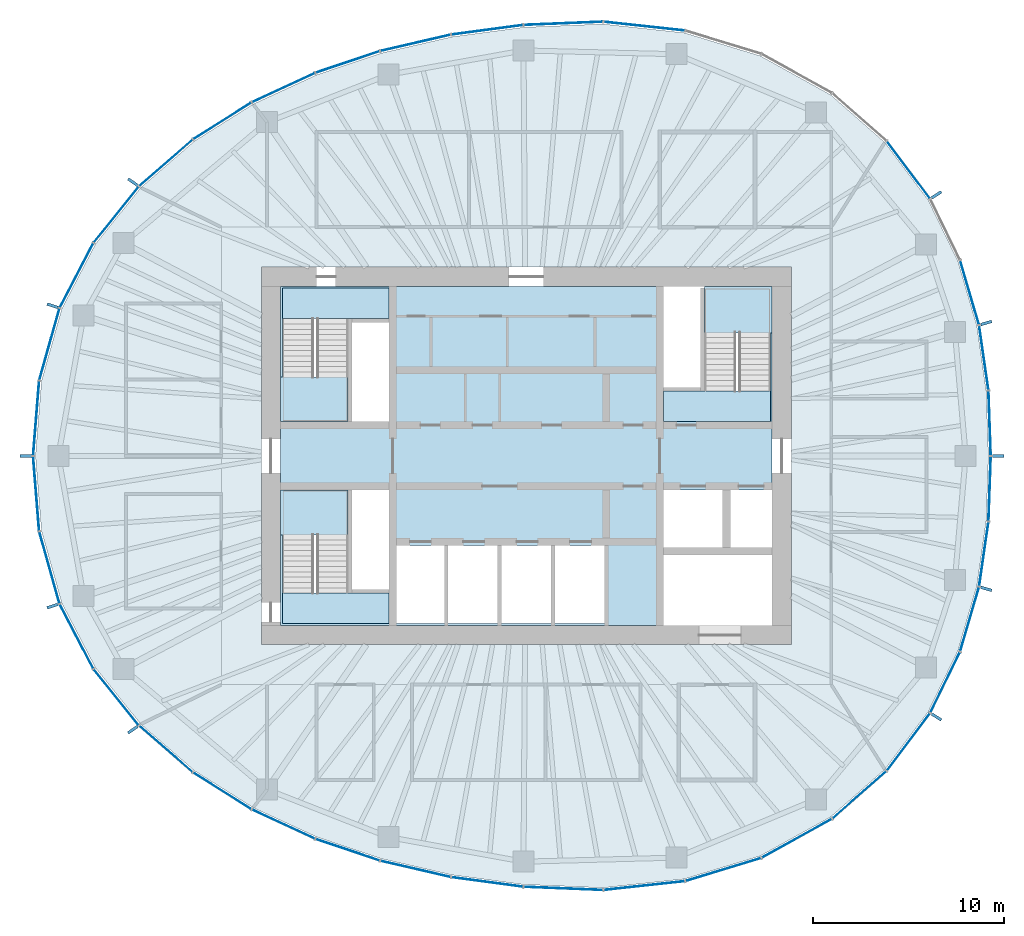
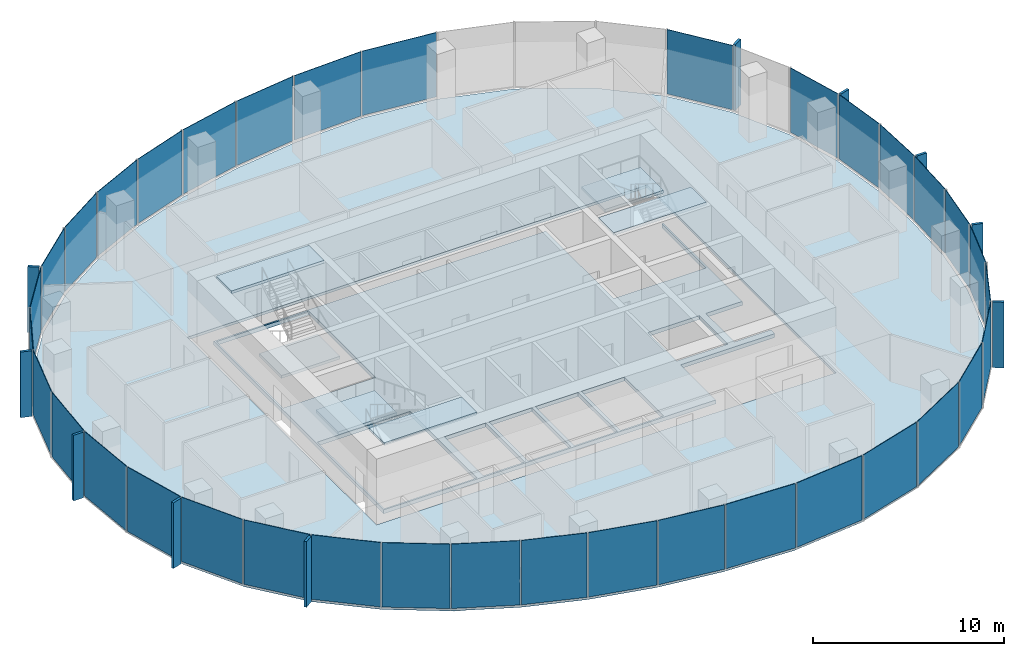
# One storey, part 7 of 12: 46 plates, 8 slabs, 22 elements without a shape of their own.
"""IFC4 building model written with IfcOpenShell, lengths in metres."""

from ifc_helpers import new_model, si_unit, direction, frame, origin, origin_2d, place, context, subcontext, project, spatial, polyline, rectangle, outline, extrude, material, layer, layer_set, type_object, element, aggregate, save


model = new_model("IFC4")

# Units and contexts
model_context = context("Model", 3, precision=1e-05, world=origin(), true_north=direction((0.0, 1.0)))
body_context = subcontext(model_context, "Body", "Model", "MODEL_VIEW")
ifc_project = project(units=[si_unit("LENGTHUNIT", "METRE"), si_unit("AREAUNIT", "SQUARE_METRE"), si_unit("VOLUMEUNIT", "CUBIC_METRE"), si_unit("PLANEANGLEUNIT", "RADIAN"), si_unit("MASSUNIT", "GRAM", prefix="KILO")], contexts=[model_context])

# Site, building, storey
site_placement = place(None, origin())
site = spatial("IfcSite", under=ifc_project, at=site_placement, CompositionType="ELEMENT")
building_placement = place(site_placement, origin())
building = spatial("IfcBuilding", under=site, at=building_placement, Name="Ghaith Harvest Tower", CompositionType="ELEMENT")
storey_placement = place(building_placement, frame((0.0, 0.0, 296.39990234375)))
storey = spatial("IfcBuildingStorey", under=building, at=storey_placement, Name="L66", CompositionType="ELEMENT", Elevation=296.39990234375)

# Curtain wall, plates
ifc_material_1 = material(Name="Black anodised aluminium and fritted glass", Category="aluminium")
curtain_wall_type = type_object("IfcCurtainWallType", Name="CW-T CURTAIN WALL", PredefinedType="NOTDEFINED", material=ifc_material_1)
curtain_wall_1_placement = place(storey_placement, origin())
curtain_wall_1 = element("IfcCurtainWall", 1, at=curtain_wall_1_placement, inside=storey, type_object=curtain_wall_type, Name="Curtain wall CW-T bay 01 L66", PredefinedType="NOTDEFINED")
ifc_material_2 = material(Name="Glass, dark solar-control fritted double glazed unit", Category="glass")
ifc_layer_1 = layer(ifc_material_2, 0.033935546875)
ifc_layer_set_1 = layer_set([ifc_layer_1], Name="CW-T VISION PANEL")
plate_type_1 = type_object("IfcPlateType", Name="CW-T VISION PANEL", PredefinedType="CURTAIN_PANEL", material=ifc_layer_set_1)
plate_1_placement = place(storey_placement, frame((24.308837890625, 1.716796875, 0.080078125), z_axis=(0.0, 0.0, 1.0), x_axis=(-0.035536161859, 0.999368391135, 0.0)))
plate_1 = element("IfcPlate", 2, at=plate_1_placement, type_object=plate_type_1, Name="CW-T glass unit 1 bay 01 L66", PredefinedType="CURTAIN_PANEL", context=body_context, shape_type="SweptSolid", body=[
    extrude(rectangle(XDim=3.35595703125, YDim=0.033935546875, at=origin_2d()), origin(), (0.0, 0.0, 1.0), 4.1201171875),
])
plate_2_placement = place(storey_placement, frame((24.00048828125, 5.1494140625, 0.080078125), z_axis=(0.0, 0.0, 1.0), x_axis=(-0.142729771229, 0.989761694755, 0.0)))
plate_2 = element("IfcPlate", 3, at=plate_2_placement, type_object=plate_type_1, Name="CW-T glass unit 2 bay 01 L66", PredefinedType="CURTAIN_PANEL", context=body_context, shape_type="SweptSolid", body=[
    extrude(rectangle(XDim=3.38671875, YDim=0.033935546875, at=origin_2d()), origin(), (0.0, 0.0, 1.0), 4.1201171875),
])
aggregate(curtain_wall_1, [plate_1, plate_2])

# Curtain wall, plate
curtain_wall_2_placement = place(storey_placement, origin())
curtain_wall_2 = element("IfcCurtainWall", 4, at=curtain_wall_2_placement, inside=storey, type_object=curtain_wall_type, Name="Curtain wall CW-T bay 02 L66", PredefinedType="NOTDEFINED")
plate_3_placement = place(storey_placement, frame((23.253662109375, 8.56884765625, 0.080078125), z_axis=(0.0, 0.0, 1.0), x_axis=(-0.281344622776, 0.959606796159, 0.0)))
plate_3 = element("IfcPlate", 5, at=plate_3_placement, type_object=plate_type_1, Name="CW-T glass unit 1 bay 02 L66", PredefinedType="CURTAIN_PANEL", context=body_context, shape_type="SweptSolid", body=[
    extrude(rectangle(XDim=3.470703125, YDim=0.033935546875, at=origin_2d()), origin(), (0.0, 0.0, 1.0), 4.1201171875),
])
aggregate(curtain_wall_2, [plate_3])

curtain_wall_3_placement = place(storey_placement, origin())
curtain_wall_3 = element("IfcCurtainWall", 6, at=curtain_wall_3_placement, inside=storey, type_object=curtain_wall_type, Name="Curtain wall CW-T bay 03 L66", PredefinedType="NOTDEFINED")
plate_4_placement = place(storey_placement, frame((20.045166015625, 15.006103515625, 0.080078125), z_axis=(0.0, 0.0, 1.0), x_axis=(-0.601047892764, 0.799213007029, 0.0)))
plate_4 = element("IfcPlate", 7, at=plate_4_placement, type_object=plate_type_1, Name="CW-T glass unit 1 bay 03 L66", PredefinedType="CURTAIN_PANEL", context=body_context, shape_type="SweptSolid", body=[
    extrude(rectangle(XDim=3.7265625, YDim=0.033935546875, at=origin_2d()), origin(), (0.0, 0.0, 1.0), 4.1201171875),
])
aggregate(curtain_wall_3, [plate_4])

# Curtain wall, plates
curtain_wall_4_placement = place(storey_placement, origin())
curtain_wall_4 = element("IfcCurtainWall", 8, at=curtain_wall_4_placement, inside=storey, type_object=curtain_wall_type, Name="Curtain wall CW-T bay 05 L66", PredefinedType="NOTDEFINED")
plate_5_placement = place(storey_placement, frame((6.188720703125, 22.542724609375, 0.080078125), z_axis=(0.0, 0.0, 1.0), x_axis=(-0.994142883447, 0.108073712304, 0.0)))
plate_5 = element("IfcPlate", 9, at=plate_5_placement, type_object=plate_type_1, Name="CW-T glass unit 1 bay 05 L66", PredefinedType="CURTAIN_PANEL", context=body_context, shape_type="SweptSolid", body=[
    extrude(rectangle(XDim=4.24755859375, YDim=0.033935546875, at=origin_2d()), origin(), (0.0, 0.0, 1.0), 4.1201171875),
])
plate_6_placement = place(storey_placement, frame((1.94140625, 22.691162109375, 0.080078125), z_axis=(0.0, 0.0, 1.0), x_axis=(-0.999173925852, -0.040638231968, 0.0)))
plate_6 = element("IfcPlate", 10, at=plate_6_placement, type_object=plate_type_1, Name="CW-T glass unit 2 bay 05 L66", PredefinedType="CURTAIN_PANEL", context=body_context, shape_type="SweptSolid", body=[
    extrude(rectangle(XDim=4.115966796875, YDim=0.033935546875, at=origin_2d()), origin(), (0.0, 0.0, 1.0), 4.1201171875),
])
aggregate(curtain_wall_4, [plate_5, plate_6])

curtain_wall_5_placement = place(storey_placement, origin())
curtain_wall_5 = element("IfcCurtainWall", 11, at=curtain_wall_5_placement, inside=storey, type_object=curtain_wall_type, Name="Curtain wall CW-T bay 06 L66", PredefinedType="NOTDEFINED")
plate_7_placement = place(storey_placement, frame((-2.050537109375, 22.352294921875, 0.080078125), z_axis=(0.0, 0.0, 1.0), x_axis=(-0.991165262661, -0.132632658474, 0.0)))
plate_7 = element("IfcPlate", 12, at=plate_7_placement, type_object=plate_type_1, Name="CW-T glass unit 1 bay 06 L66", PredefinedType="CURTAIN_PANEL", context=body_context, shape_type="SweptSolid", body=[
    extrude(rectangle(XDim=3.74560546875, YDim=0.033935546875, at=origin_2d()), origin(), (0.0, 0.0, 1.0), 4.1201171875),
])
plate_8_placement = place(storey_placement, frame((-5.80859375, 21.66845703125, 0.080078125), z_axis=(0.0, 0.0, 1.0), x_axis=(-0.974342245415, -0.225071519297, 0.0)))
plate_8 = element("IfcPlate", 13, at=plate_8_placement, type_object=plate_type_1, Name="CW-T glass unit 2 bay 06 L66", PredefinedType="CURTAIN_PANEL", context=body_context, shape_type="SweptSolid", body=[
    extrude(rectangle(XDim=3.742431640625, YDim=0.033935546875, at=origin_2d()), origin(), (0.0, 0.0, 1.0), 4.1201171875),
])
aggregate(curtain_wall_5, [plate_7, plate_8])

curtain_wall_6_placement = place(storey_placement, origin())
curtain_wall_6 = element("IfcCurtainWall", 14, at=curtain_wall_6_placement, inside=storey, type_object=curtain_wall_type, Name="Curtain wall CW-T bay 07 L66", PredefinedType="NOTDEFINED")
plate_9_placement = place(storey_placement, frame((-9.369140625, 20.665771484375, 0.080078125), z_axis=(0.0, 0.0, 1.0), x_axis=(-0.947586403329, -0.319499621637, 0.0)))
plate_9 = element("IfcPlate", 15, at=plate_9_placement, type_object=plate_type_1, Name="CW-T glass unit 1 bay 07 L66", PredefinedType="CURTAIN_PANEL", context=body_context, shape_type="SweptSolid", body=[
    extrude(rectangle(XDim=3.50439453125, YDim=0.033935546875, at=origin_2d()), origin(), (0.0, 0.0, 1.0), 4.1201171875),
])
plate_10_placement = place(storey_placement, frame((-12.736083984375, 19.3203125, 0.080078125), z_axis=(0.0, 0.0, 1.0), x_axis=(-0.907450165401, -0.420159728334, 0.0)))
plate_10 = element("IfcPlate", 16, at=plate_10_placement, type_object=plate_type_1, Name="CW-T glass unit 2 bay 07 L66", PredefinedType="CURTAIN_PANEL", context=body_context, shape_type="SweptSolid", body=[
    extrude(rectangle(XDim=3.597900390625, YDim=0.033935546875, at=origin_2d()), origin(), (0.0, 0.0, 1.0), 4.1201171875),
])
aggregate(curtain_wall_6, [plate_9, plate_10])

curtain_wall_7_placement = place(storey_placement, origin())
curtain_wall_7 = element("IfcCurtainWall", 17, at=curtain_wall_7_placement, inside=storey, type_object=curtain_wall_type, Name="Curtain wall CW-T bay 08 L66", PredefinedType="NOTDEFINED")
plate_11_placement = place(storey_placement, frame((-15.94970703125, 17.57421875, 0.080078125), z_axis=(0.0, 0.0, 1.0), x_axis=(-0.846043473903, -0.533113909279, 0.0)))
plate_11 = element("IfcPlate", 18, at=plate_11_placement, type_object=plate_type_1, Name="CW-T glass unit 1 bay 08 L66", PredefinedType="CURTAIN_PANEL", context=body_context, shape_type="SweptSolid", body=[
    extrude(rectangle(XDim=3.572021484375, YDim=0.033935546875, at=origin_2d()), origin(), (0.0, 0.0, 1.0), 4.1201171875),
])
plate_12_placement = place(storey_placement, frame((-18.909423828125, 15.371337890625, 0.080078125), z_axis=(0.0, 0.0, 1.0), x_axis=(-0.754828549513, -0.655922145411, 0.0)))
plate_12 = element("IfcPlate", 19, at=plate_12_placement, type_object=plate_type_1, Name="CW-T glass unit 2 bay 08 L66", PredefinedType="CURTAIN_PANEL", context=body_context, shape_type="SweptSolid", body=[
    extrude(rectangle(XDim=3.668701171875, YDim=0.033935546875, at=origin_2d()), origin(), (0.0, 0.0, 1.0), 4.1201171875),
])
aggregate(curtain_wall_7, [plate_11, plate_12])

curtain_wall_8_placement = place(storey_placement, origin())
curtain_wall_8 = element("IfcCurtainWall", 20, at=curtain_wall_8_placement, inside=storey, type_object=curtain_wall_type, Name="Curtain wall CW-T bay 09 L66", PredefinedType="NOTDEFINED")
plate_13_placement = place(storey_placement, frame((-21.515380859375, 12.6591796875, 0.080078125), z_axis=(0.0, 0.0, 1.0), x_axis=(-0.626229505742, -0.779638766441, 0.0)))
plate_13 = element("IfcPlate", 21, at=plate_13_placement, type_object=plate_type_1, Name="CW-T glass unit 1 bay 09 L66", PredefinedType="CURTAIN_PANEL", context=body_context, shape_type="SweptSolid", body=[
    extrude(rectangle(XDim=3.723388671875, YDim=0.033935546875, at=origin_2d()), origin(), (0.0, 0.0, 1.0), 4.1201171875),
])
plate_14_placement = place(storey_placement, frame((-23.594482421875, 9.4677734375, 0.080078125), z_axis=(0.0, 0.0, 1.0), x_axis=(-0.461229945578, -0.887280641794, 0.0)))
plate_14 = element("IfcPlate", 22, at=plate_14_placement, type_object=plate_type_1, Name="CW-T glass unit 2 bay 09 L66", PredefinedType="CURTAIN_PANEL", context=body_context, shape_type="SweptSolid", body=[
    extrude(rectangle(XDim=3.771728515625, YDim=0.033935546875, at=origin_2d()), origin(), (0.0, 0.0, 1.0), 4.1201171875),
])
aggregate(curtain_wall_8, [plate_13, plate_14])

curtain_wall_9_placement = place(storey_placement, origin())
curtain_wall_9 = element("IfcCurtainWall", 23, at=curtain_wall_9_placement, inside=storey, type_object=curtain_wall_type, Name="Curtain wall CW-T bay 10 L66", PredefinedType="NOTDEFINED")
plate_15_placement = place(storey_placement, frame((-25.017333984375, 5.85546875, 0.080078125), z_axis=(0.0, 0.0, 1.0), x_axis=(-0.270355239749, -0.962760637095, 0.0)))
plate_15 = element("IfcPlate", 24, at=plate_15_placement, type_object=plate_type_1, Name="CW-T glass unit 1 bay 10 L66", PredefinedType="CURTAIN_PANEL", context=body_context, shape_type="SweptSolid", body=[
    extrude(rectangle(XDim=3.874267578125, YDim=0.033935546875, at=origin_2d()), origin(), (0.0, 0.0, 1.0), 4.1201171875),
])
plate_16_placement = place(storey_placement, frame((-25.7109375, 1.97607421875, 0.080078125), z_axis=(0.0, 0.0, 1.0), x_axis=(-0.080257648011, -0.99677415192, 0.0)))
plate_16 = element("IfcPlate", 25, at=plate_16_placement, type_object=plate_type_1, Name="CW-T glass unit 2 bay 10 L66", PredefinedType="CURTAIN_PANEL", context=body_context, shape_type="SweptSolid", body=[
    extrude(rectangle(XDim=3.884765625, YDim=0.033935546875, at=origin_2d()), origin(), (0.0, 0.0, 1.0), 4.1201171875),
])
aggregate(curtain_wall_9, [plate_15, plate_16])

curtain_wall_10_placement = place(storey_placement, origin())
curtain_wall_10 = element("IfcCurtainWall", 26, at=curtain_wall_10_placement, inside=storey, type_object=curtain_wall_type, Name="Curtain wall CW-T bay 11 L66", PredefinedType="NOTDEFINED")
plate_17_placement = place(storey_placement, frame((-25.7109375, -1.97607421875, 0.080078125), z_axis=(0.0, 0.0, 1.0), x_axis=(0.080257648324, -0.996774151895, 0.0)))
plate_17 = element("IfcPlate", 27, at=plate_17_placement, type_object=plate_type_1, Name="CW-T glass unit 1 bay 11 L66", PredefinedType="CURTAIN_PANEL", context=body_context, shape_type="SweptSolid", body=[
    extrude(rectangle(XDim=3.884765625, YDim=0.033935546875, at=origin_2d()), origin(), (0.0, 0.0, 1.0), 4.1201171875),
])
plate_18_placement = place(storey_placement, frame((-25.017333984375, -5.85546875, 0.080078125), z_axis=(0.0, 0.0, 1.0), x_axis=(0.27035523953, -0.962760637157, 0.0)))
plate_18 = element("IfcPlate", 28, at=plate_18_placement, type_object=plate_type_1, Name="CW-T glass unit 2 bay 11 L66", PredefinedType="CURTAIN_PANEL", context=body_context, shape_type="SweptSolid", body=[
    extrude(rectangle(XDim=3.874267578125, YDim=0.033935546875, at=origin_2d()), origin(), (0.0, 0.0, 1.0), 4.1201171875),
])
aggregate(curtain_wall_10, [plate_17, plate_18])

curtain_wall_11_placement = place(storey_placement, origin())
curtain_wall_11 = element("IfcCurtainWall", 29, at=curtain_wall_11_placement, inside=storey, type_object=curtain_wall_type, Name="Curtain wall CW-T bay 12 L66", PredefinedType="NOTDEFINED")
plate_19_placement = place(storey_placement, frame((-23.594482421875, -9.4677734375, 0.080078125), z_axis=(0.0, 0.0, 1.0), x_axis=(0.461229945377, -0.887280641898, 0.0)))
plate_19 = element("IfcPlate", 30, at=plate_19_placement, type_object=plate_type_1, Name="CW-T glass unit 1 bay 12 L66", PredefinedType="CURTAIN_PANEL", context=body_context, shape_type="SweptSolid", body=[
    extrude(rectangle(XDim=3.771728515625, YDim=0.033935546875, at=origin_2d()), origin(), (0.0, 0.0, 1.0), 4.1201171875),
])
plate_20_placement = place(storey_placement, frame((-21.515380859375, -12.6591796875, 0.080078125), z_axis=(0.0, 0.0, 1.0), x_axis=(0.626229505565, -0.779638766583, 0.0)))
plate_20 = element("IfcPlate", 31, at=plate_20_placement, type_object=plate_type_1, Name="CW-T glass unit 2 bay 12 L66", PredefinedType="CURTAIN_PANEL", context=body_context, shape_type="SweptSolid", body=[
    extrude(rectangle(XDim=3.723388671875, YDim=0.033935546875, at=origin_2d()), origin(), (0.0, 0.0, 1.0), 4.1201171875),
])
aggregate(curtain_wall_11, [plate_19, plate_20])

curtain_wall_12_placement = place(storey_placement, origin())
curtain_wall_12 = element("IfcCurtainWall", 32, at=curtain_wall_12_placement, inside=storey, type_object=curtain_wall_type, Name="Curtain wall CW-T bay 13 L66", PredefinedType="NOTDEFINED")
plate_21_placement = place(storey_placement, frame((-18.909423828125, -15.371337890625, 0.080078125), z_axis=(0.0, 0.0, 1.0), x_axis=(0.754828549376, -0.655922145569, 0.0)))
plate_21 = element("IfcPlate", 33, at=plate_21_placement, type_object=plate_type_1, Name="CW-T glass unit 1 bay 13 L66", PredefinedType="CURTAIN_PANEL", context=body_context, shape_type="SweptSolid", body=[
    extrude(rectangle(XDim=3.668701171875, YDim=0.033935546875, at=origin_2d()), origin(), (0.0, 0.0, 1.0), 4.1201171875),
])
plate_22_placement = place(storey_placement, frame((-15.94970703125, -17.57421875, 0.080078125), z_axis=(0.0, 0.0, 1.0), x_axis=(0.846043474052, -0.533113909042, 0.0)))
plate_22 = element("IfcPlate", 34, at=plate_22_placement, type_object=plate_type_1, Name="CW-T glass unit 2 bay 13 L66", PredefinedType="CURTAIN_PANEL", context=body_context, shape_type="SweptSolid", body=[
    extrude(rectangle(XDim=3.572021484375, YDim=0.033935546875, at=origin_2d()), origin(), (0.0, 0.0, 1.0), 4.1201171875),
])
aggregate(curtain_wall_12, [plate_21, plate_22])

curtain_wall_13_placement = place(storey_placement, origin())
curtain_wall_13 = element("IfcCurtainWall", 35, at=curtain_wall_13_placement, inside=storey, type_object=curtain_wall_type, Name="Curtain wall CW-T bay 14 L66", PredefinedType="NOTDEFINED")
plate_23_placement = place(storey_placement, frame((-12.736083984375, -19.3203125, 0.080078125), z_axis=(0.0, 0.0, 1.0), x_axis=(0.907450165812, -0.420159727447, 0.0)))
plate_23 = element("IfcPlate", 36, at=plate_23_placement, type_object=plate_type_1, Name="CW-T glass unit 1 bay 14 L66", PredefinedType="CURTAIN_PANEL", context=body_context, shape_type="SweptSolid", body=[
    extrude(rectangle(XDim=3.597900390625, YDim=0.033935546875, at=origin_2d()), origin(), (0.0, 0.0, 1.0), 4.1201171875),
])
plate_24_placement = place(storey_placement, frame((-9.369140625, -20.665771484375, 0.080078125), z_axis=(0.0, 0.0, 1.0), x_axis=(0.947586403597, -0.319499620843, 0.0)))
plate_24 = element("IfcPlate", 37, at=plate_24_placement, type_object=plate_type_1, Name="CW-T glass unit 2 bay 14 L66", PredefinedType="CURTAIN_PANEL", context=body_context, shape_type="SweptSolid", body=[
    extrude(rectangle(XDim=3.50439453125, YDim=0.033935546875, at=origin_2d()), origin(), (0.0, 0.0, 1.0), 4.1201171875),
])
aggregate(curtain_wall_13, [plate_23, plate_24])

curtain_wall_14_placement = place(storey_placement, origin())
curtain_wall_14 = element("IfcCurtainWall", 38, at=curtain_wall_14_placement, inside=storey, type_object=curtain_wall_type, Name="Curtain wall CW-T bay 15 L66", PredefinedType="NOTDEFINED")
plate_25_placement = place(storey_placement, frame((-5.80859375, -21.66845703125, 0.080078125), z_axis=(0.0, 0.0, 1.0), x_axis=(0.974342245521, -0.225071518838, 0.0)))
plate_25 = element("IfcPlate", 39, at=plate_25_placement, type_object=plate_type_1, Name="CW-T glass unit 1 bay 15 L66", PredefinedType="CURTAIN_PANEL", context=body_context, shape_type="SweptSolid", body=[
    extrude(rectangle(XDim=3.742431640625, YDim=0.033935546875, at=origin_2d()), origin(), (0.0, 0.0, 1.0), 4.1201171875),
])
plate_26_placement = place(storey_placement, frame((-2.050537109375, -22.352294921875, 0.080078125), z_axis=(0.0, 0.0, 1.0), x_axis=(0.991165262684, -0.132632658301, 0.0)))
plate_26 = element("IfcPlate", 40, at=plate_26_placement, type_object=plate_type_1, Name="CW-T glass unit 2 bay 15 L66", PredefinedType="CURTAIN_PANEL", context=body_context, shape_type="SweptSolid", body=[
    extrude(rectangle(XDim=3.74560546875, YDim=0.033935546875, at=origin_2d()), origin(), (0.0, 0.0, 1.0), 4.1201171875),
])
aggregate(curtain_wall_14, [plate_25, plate_26])

curtain_wall_15_placement = place(storey_placement, origin())
curtain_wall_15 = element("IfcCurtainWall", 41, at=curtain_wall_15_placement, inside=storey, type_object=curtain_wall_type, Name="Curtain wall CW-T bay 16 L66", PredefinedType="NOTDEFINED")
plate_27_placement = place(storey_placement, frame((1.94140625, -22.691162109375, 0.080078125), z_axis=(0.0, 0.0, 1.0), x_axis=(0.999173925863, -0.040638231706, 0.0)))
plate_27 = element("IfcPlate", 42, at=plate_27_placement, type_object=plate_type_1, Name="CW-T glass unit 1 bay 16 L66", PredefinedType="CURTAIN_PANEL", context=body_context, shape_type="SweptSolid", body=[
    extrude(rectangle(XDim=4.115966796875, YDim=0.033935546875, at=origin_2d()), origin(), (0.0, 0.0, 1.0), 4.1201171875),
])
plate_28_placement = place(storey_placement, frame((6.188720703125, -22.542724609375, 0.080078125), z_axis=(0.0, 0.0, 1.0), x_axis=(0.994142883417, 0.108073712581, 0.0)))
plate_28 = element("IfcPlate", 43, at=plate_28_placement, type_object=plate_type_1, Name="CW-T glass unit 2 bay 16 L66", PredefinedType="CURTAIN_PANEL", context=body_context, shape_type="SweptSolid", body=[
    extrude(rectangle(XDim=4.24755859375, YDim=0.033935546875, at=origin_2d()), origin(), (0.0, 0.0, 1.0), 4.1201171875),
])
aggregate(curtain_wall_15, [plate_27, plate_28])

curtain_wall_16_placement = place(storey_placement, origin())
curtain_wall_16 = element("IfcCurtainWall", 44, at=curtain_wall_16_placement, inside=storey, type_object=curtain_wall_type, Name="Curtain wall CW-T bay 17 L66", PredefinedType="NOTDEFINED")
plate_29_placement = place(storey_placement, frame((10.337158203125, -21.700439453125, 0.080078125), z_axis=(0.0, 0.0, 1.0), x_axis=(0.956587736012, 0.291444511548, 0.0)))
plate_29 = element("IfcPlate", 45, at=plate_29_placement, type_object=plate_type_1, Name="CW-T glass unit 1 bay 17 L66", PredefinedType="CURTAIN_PANEL", context=body_context, shape_type="SweptSolid", body=[
    extrude(rectangle(XDim=4.095703125, YDim=0.033935546875, at=origin_2d()), origin(), (0.0, 0.0, 1.0), 4.1201171875),
])
plate_30_placement = place(storey_placement, frame((14.19189453125, -20.06201171875, 0.080078125), z_axis=(0.0, 0.0, 1.0), x_axis=(0.874564022715, 0.484910064004, 0.0)))
plate_30 = element("IfcPlate", 46, at=plate_30_placement, type_object=plate_type_1, Name="CW-T glass unit 2 bay 17 L66", PredefinedType="CURTAIN_PANEL", context=body_context, shape_type="SweptSolid", body=[
    extrude(rectangle(XDim=4.167724609375, YDim=0.033935546875, at=origin_2d()), origin(), (0.0, 0.0, 1.0), 4.1201171875),
])
aggregate(curtain_wall_16, [plate_29, plate_30])

curtain_wall_17_placement = place(storey_placement, origin())
curtain_wall_17 = element("IfcCurtainWall", 47, at=curtain_wall_17_placement, inside=storey, type_object=curtain_wall_type, Name="Curtain wall CW-T bay 18 L66", PredefinedType="NOTDEFINED")
plate_31_placement = place(storey_placement, frame((17.47509765625, -17.779541015625, 0.080078125), z_axis=(0.0, 0.0, 1.0), x_axis=(0.751334532577, 0.659921525757, 0.0)))
plate_31 = element("IfcPlate", 48, at=plate_31_placement, type_object=plate_type_1, Name="CW-T glass unit 1 bay 18 L66", PredefinedType="CURTAIN_PANEL", context=body_context, shape_type="SweptSolid", body=[
    extrude(rectangle(XDim=3.7158203125, YDim=0.033935546875, at=origin_2d()), origin(), (0.0, 0.0, 1.0), 4.1201171875),
])
plate_32_placement = place(storey_placement, frame((20.045166015625, -15.006103515625, 0.080078125), z_axis=(0.0, 0.0, 1.0), x_axis=(0.601047892945, 0.799213006892, 0.0)))
plate_32 = element("IfcPlate", 49, at=plate_32_placement, type_object=plate_type_1, Name="CW-T glass unit 2 bay 18 L66", PredefinedType="CURTAIN_PANEL", context=body_context, shape_type="SweptSolid", body=[
    extrude(rectangle(XDim=3.7265625, YDim=0.033935546875, at=origin_2d()), origin(), (0.0, 0.0, 1.0), 4.1201171875),
])
aggregate(curtain_wall_17, [plate_31, plate_32])

curtain_wall_18_placement = place(storey_placement, origin())
curtain_wall_18 = element("IfcCurtainWall", 50, at=curtain_wall_18_placement, inside=storey, type_object=curtain_wall_type, Name="Curtain wall CW-T bay 19 L66", PredefinedType="NOTDEFINED")
plate_33_placement = place(storey_placement, frame((21.9716796875, -11.878662109375, 0.080078125), z_axis=(0.0, 0.0, 1.0), x_axis=(0.437968365352, 0.898990384237, 0.0)))
plate_33 = element("IfcPlate", 51, at=plate_33_placement, type_object=plate_type_1, Name="CW-T glass unit 1 bay 19 L66", PredefinedType="CURTAIN_PANEL", context=body_context, shape_type="SweptSolid", body=[
    extrude(rectangle(XDim=3.49365234375, YDim=0.033935546875, at=origin_2d()), origin(), (0.0, 0.0, 1.0), 4.1201171875),
])
plate_34_placement = place(storey_placement, frame((23.253662109375, -8.56884765625, 0.080078125), z_axis=(0.0, 0.0, 1.0), x_axis=(0.281344622977, 0.9596067961, 0.0)))
plate_34 = element("IfcPlate", 52, at=plate_34_placement, type_object=plate_type_1, Name="CW-T glass unit 2 bay 19 L66", PredefinedType="CURTAIN_PANEL", context=body_context, shape_type="SweptSolid", body=[
    extrude(rectangle(XDim=3.470703125, YDim=0.033935546875, at=origin_2d()), origin(), (0.0, 0.0, 1.0), 4.1201171875),
])
aggregate(curtain_wall_18, [plate_33, plate_34])

curtain_wall_19_placement = place(storey_placement, origin())
curtain_wall_19 = element("IfcCurtainWall", 53, at=curtain_wall_19_placement, inside=storey, type_object=curtain_wall_type, Name="Curtain wall CW-T bay 20 L66", PredefinedType="NOTDEFINED")
plate_35_placement = place(storey_placement, frame((24.00048828125, -5.1494140625, 0.080078125), z_axis=(0.0, 0.0, 1.0), x_axis=(0.142729771402, 0.98976169473, 0.0)))
plate_35 = element("IfcPlate", 54, at=plate_35_placement, type_object=plate_type_1, Name="CW-T glass unit 1 bay 20 L66", PredefinedType="CURTAIN_PANEL", context=body_context, shape_type="SweptSolid", body=[
    extrude(rectangle(XDim=3.38671875, YDim=0.033935546875, at=origin_2d()), origin(), (0.0, 0.0, 1.0), 4.1201171875),
])
plate_36_placement = place(storey_placement, frame((24.308837890625, -1.716796875, 0.080078125), z_axis=(0.0, 0.0, 1.0), x_axis=(0.035536161929, 0.999368391133, 0.0)))
plate_36 = element("IfcPlate", 55, at=plate_36_placement, type_object=plate_type_1, Name="CW-T glass unit 2 bay 20 L66", PredefinedType="CURTAIN_PANEL", context=body_context, shape_type="SweptSolid", body=[
    extrude(rectangle(XDim=3.35595703125, YDim=0.033935546875, at=origin_2d()), origin(), (0.0, 0.0, 1.0), 4.1201171875),
])
aggregate(curtain_wall_19, [plate_35, plate_36])

# Slabs
ifc_material_3 = material(Name="Concrete C40/50", Category="concrete")
ifc_layer_2 = layer(ifc_material_3, 0.169921875)
ifc_layer_set_2 = layer_set([ifc_layer_2], Name="FLOOR SLAB 170")
slab_type_1 = type_object("IfcSlabType", Name="FLOOR SLAB 170", PredefinedType="FLOOR", material=ifc_layer_set_2)
slab_1_placement = place(storey_placement, frame((0.0, 0.0, -0.169921875)))
element("IfcSlab", 56, at=slab_1_placement, inside=storey, type_object=slab_type_1, Name="Floor slab L66", PredefinedType="FLOOR", context=body_context, shape_type="SweptSolid", body=[
    extrude(outline(polyline([(24.25, 0.0), (24.129150390625, 3.4169921875), (23.6376953125, 6.831787109375), (22.644775390625, 10.222900390625), (21.087890625, 13.42041015625), (18.810791015625, 16.4482421875), (15.971923828125, 18.940185546875), (12.273681640625, 20.98828125), (8.2978515625, 22.1962890625), (4.016845703125, 22.658447265625), (-0.15380859375, 22.486083984375), (-3.92529296875, 21.98046875), (-7.6298828125, 21.12548828125), (-11.009521484375, 19.98779296875), (-14.331298828125, 18.452880859375), (-17.40771484375, 16.518310546875), (-20.225830078125, 14.0732421875), (-22.5986328125, 11.12353515625), (-24.368408203125, 7.722900390625), (-25.43310546875, 3.93359375), (-25.75, 0.0), (-25.43310546875, -3.93359375), (-24.368408203125, -7.722900390625), (-22.5986328125, -11.12353515625), (-20.225830078125, -14.0732421875), (-17.40771484375, -16.518310546875), (-14.331298828125, -18.452880859375), (-11.009521484375, -19.98779296875), (-7.6298828125, -21.12548828125), (-3.92529296875, -21.98046875), (-0.15380859375, -22.486083984375), (4.016845703125, -22.658447265625), (8.2978515625, -22.1962890625), (12.273681640625, -20.98828125), (15.971923828125, -18.940185546875), (18.810791015625, -16.4482421875), (21.087890625, -13.42041015625), (22.644775390625, -10.222900390625), (23.6376953125, -6.831787109375), (24.129150390625, -3.4169921875), (24.25, 0.0)]), holes=[polyline([(-13.89990234375, -9.89990234375), (13.89990234375, -9.89990234375), (13.89990234375, 9.89990234375), (-13.89990234375, 9.89990234375), (-13.89990234375, -9.89990234375)])]), origin(), (0.0, 0.0, 1.0), 0.169921875),
])
ifc_material_4 = material(Name="Concrete C40/50", Category="concrete")
ifc_layer_3 = layer(ifc_material_4, 0.25)
ifc_layer_set_3 = layer_set([ifc_layer_3], Name="FLOOR SLAB 250")
slab_type_2 = type_object("IfcSlabType", Name="FLOOR SLAB 250", PredefinedType="FLOOR", material=ifc_layer_set_3)
slab_2_placement = place(storey_placement, frame((0.0, 0.0, -0.25)))
element("IfcSlab", 57, at=slab_2_placement, inside=storey, type_object=slab_type_2, Name="Core slab L66", PredefinedType="FLOOR", context=body_context, shape_type="SweptSolid", body=[
    extrude(outline(polyline([(-12.89990234375, 8.89990234375), (7.199951171875, 8.89990234375), (7.199951171875, 1.800048828125), (12.800048828125, 1.800048828125), (12.800048828125, 6.4599609375), (12.89990234375, 6.4599609375), (12.89990234375, -1.800048828125), (10.699951171875, -1.800048828125), (10.699951171875, -4.800048828125), (12.89990234375, -4.800048828125), (12.89990234375, -5.199951171875), (7.199951171875, -5.199951171875), (7.199951171875, -8.89990234375), (-12.89990234375, -8.89990234375), (-12.89990234375, 8.89990234375)]), holes=[polyline([(-4.300048828125, -4.699951171875), (-6.800048828125, -4.699951171875), (-6.800048828125, -8.800048828125), (-4.300048828125, -8.800048828125), (-4.300048828125, -4.699951171875)]), polyline([(-1.5, -4.699951171875), (-4.10009765625, -4.699951171875), (-4.10009765625, -8.800048828125), (-1.5, -8.800048828125), (-1.5, -4.699951171875)]), polyline([(1.300048828125, -8.800048828125), (1.300048828125, -4.699951171875), (-1.300048828125, -4.699951171875), (-1.300048828125, -8.800048828125), (1.300048828125, -8.800048828125)]), polyline([(4.10009765625, -8.800048828125), (4.10009765625, -4.699951171875), (1.5, -4.699951171875), (1.5, -8.800048828125), (4.10009765625, -8.800048828125)]), polyline([(-7.199951171875, -1.800048828125), (-12.800048828125, -1.800048828125), (-12.800048828125, -8.800048828125), (-7.199951171875, -8.800048828125), (-7.199951171875, -1.800048828125)]), polyline([(10.300048828125, -1.800048828125), (7.199951171875, -1.800048828125), (7.199951171875, -4.800048828125), (10.300048828125, -4.800048828125), (10.300048828125, -1.800048828125)]), polyline([(-12.800048828125, 1.800048828125), (-7.199951171875, 1.800048828125), (-7.199951171875, 8.800048828125), (-12.800048828125, 8.800048828125), (-12.800048828125, 1.800048828125)])]), origin(), (0.0, 0.0, 1.0), 0.25),
])

# Stair, slabs
ifc_material_5 = material(Name="Concrete C40/50, precast", Category="concrete")
stair_type = type_object("IfcStairType", Name="CORE STAIR 24R", PredefinedType="HALF_TURN_STAIR", material=ifc_material_5)
stair_1_placement = place(storey_placement, origin())
stair_1 = element("IfcStair", 58, at=stair_1_placement, inside=storey, type_object=stair_type, Name="Stair ST1 L66", PredefinedType="HALF_TURN_STAIR")
ifc_material_6 = material(Name="Concrete C40/50, precast", Category="concrete")
ifc_layer_4 = layer(ifc_material_6, 0.179931640625)
ifc_layer_set_4 = layer_set([ifc_layer_4], Name="STAIR LANDING 180")
slab_type_3 = type_object("IfcSlabType", Name="STAIR LANDING 180", PredefinedType="LANDING", material=ifc_layer_set_4)
slab_3_placement = place(storey_placement, frame((0.0, 0.0, 1.920166015625)))
slab_3 = element("IfcSlab", 59, at=slab_3_placement, type_object=slab_type_3, Name="ST1 landing 1", PredefinedType="LANDING", context=body_context, shape_type="SweptSolid", body=[
    extrude(outline(polyline([(-12.89990234375, 4.139892578125), (-12.89990234375, 1.800048828125), (-9.35009765625, 1.800048828125), (-9.35009765625, 4.139892578125), (-12.89990234375, 4.139892578125)])), origin(), (0.0, 0.0, 1.0), 0.179931640625),
])
slab_4_placement = place(storey_placement, frame((0.0, 0.0, 4.02001953125)))
slab_4 = element("IfcSlab", 60, at=slab_4_placement, type_object=slab_type_3, Name="ST1 landing 2", PredefinedType="LANDING", context=body_context, shape_type="SweptSolid", body=[
    extrude(outline(polyline([(-12.800048828125, 8.800048828125), (-12.800048828125, 7.199951171875), (-7.199951171875, 7.199951171875), (-7.199951171875, 8.800048828125), (-12.800048828125, 8.800048828125)])), origin(), (0.0, 0.0, 1.0), 0.18017578125),
])
aggregate(stair_1, [slab_3, slab_4])

stair_2_placement = place(storey_placement, origin())
stair_2 = element("IfcStair", 61, at=stair_2_placement, inside=storey, type_object=stair_type, Name="Stair ST3 L66", PredefinedType="HALF_TURN_STAIR")
slab_5_placement = place(storey_placement, frame((0.0, 0.0, 1.920166015625)))
slab_5 = element("IfcSlab", 62, at=slab_5_placement, type_object=slab_type_3, Name="ST3 landing 1", PredefinedType="LANDING", context=body_context, shape_type="SweptSolid", body=[
    extrude(outline(polyline([(-12.89990234375, -4.139892578125), (-12.89990234375, -1.800048828125), (-9.35009765625, -1.800048828125), (-9.35009765625, -4.139892578125), (-12.89990234375, -4.139892578125)])), origin(), (0.0, 0.0, 1.0), 0.179931640625),
])
slab_6_placement = place(storey_placement, frame((0.0, 0.0, 4.02001953125)))
slab_6 = element("IfcSlab", 63, at=slab_6_placement, type_object=slab_type_3, Name="ST3 landing 2", PredefinedType="LANDING", context=body_context, shape_type="SweptSolid", body=[
    extrude(outline(polyline([(-12.800048828125, -8.800048828125), (-12.800048828125, -7.199951171875), (-7.199951171875, -7.199951171875), (-7.199951171875, -8.800048828125), (-12.800048828125, -8.800048828125)])), origin(), (0.0, 0.0, 1.0), 0.18017578125),
])
aggregate(stair_2, [slab_5, slab_6])

stair_3_placement = place(storey_placement, origin())
stair_3 = element("IfcStair", 64, at=stair_3_placement, inside=storey, type_object=stair_type, Name="Stair ST2 L66", PredefinedType="HALF_TURN_STAIR")
slab_7_placement = place(storey_placement, frame((0.0, 0.0, 1.920166015625)))
slab_7 = element("IfcSlab", 65, at=slab_7_placement, type_object=slab_type_3, Name="ST2 landing 1", PredefinedType="LANDING", context=body_context, shape_type="SweptSolid", body=[
    extrude(outline(polyline([(12.89990234375, 6.4599609375), (12.89990234375, 8.89990234375), (9.35009765625, 8.89990234375), (9.35009765625, 6.4599609375), (12.89990234375, 6.4599609375)])), origin(), (0.0, 0.0, 1.0), 0.179931640625),
])
slab_8_placement = place(storey_placement, frame((0.0, 0.0, 4.02001953125)))
slab_8 = element("IfcSlab", 66, at=slab_8_placement, type_object=slab_type_3, Name="ST2 landing 2", PredefinedType="LANDING", context=body_context, shape_type="SweptSolid", body=[
    extrude(outline(polyline([(12.800048828125, 1.800048828125), (12.800048828125, 3.39990234375), (7.199951171875, 3.39990234375), (7.199951171875, 1.800048828125), (12.800048828125, 1.800048828125)])), origin(), (0.0, 0.0, 1.0), 0.18017578125),
])
aggregate(stair_3, [slab_7, slab_8])

# Plates
ifc_material_7 = material(Name="Glassfibre-reinforced concrete", Category="concrete")
ifc_layer_5 = layer(ifc_material_7, 0.14990234375)
ifc_layer_set_5 = layer_set([ifc_layer_5], Name="SUN-BREAKER FIN 600x150")
plate_type_2 = type_object("IfcPlateType", Name="SUN-BREAKER FIN 600x150", PredefinedType="USERDEFINED", material=ifc_layer_set_5)
for number, where, z_axis, x_axis, name in (
    (67, (24.760009765625, 0.0, 0.0), (0.0, 0.0, 1.0), (1.0, 0.0, 0.0), "Sun-breaker fin CW-T 1 bay 01 L66"),
    (68, (24.127685546875, 6.973388671875, 0.0), (0.0, 0.0, 1.0), (0.960680349985, 0.277656739792, 0.0), "Sun-breaker fin CW-T 1 bay 02 L66"),
    (69, (21.51806640625, 13.6943359375, 0.0), (0.0, 0.0, 1.0), (0.843643971464, 0.536903016766, 0.0), "Sun-breaker fin CW-T 1 bay 03 L66"),
    (70, (-20.64453125, 14.364501953125, 0.0), (0.0, 0.0, 1.0), (-0.820845486523, 0.571150319316, 0.0), "Sun-breaker fin CW-T 1 bay 09 L66"),
    (71, (-24.8544921875, 7.876708984375, 0.0), (0.0, 0.0, 1.0), (-0.953273219358, 0.302109531884, 0.0), "Sun-breaker fin CW-T 1 bay 10 L66"),
    (72, (-26.260009765625, 0.0, 0.0), (0.0, 0.0, 1.0), (-1.0, -4.19e-10, 0.0), "Sun-breaker fin CW-T 1 bay 11 L66"),
    (73, (-24.8544921875, -7.876708984375, 0.0), (0.0, 0.0, 1.0), (-0.953273219416, -0.302109531701, 0.0), "Sun-breaker fin CW-T 1 bay 12 L66"),
    (74, (-20.64453125, -14.364501953125, 0.0), (0.0, 0.0, 1.0), (-0.820845486622, -0.571150319173, 0.0), "Sun-breaker fin CW-T 1 bay 13 L66"),
    (75, (21.51806640625, -13.6943359375, 0.0), (0.0, 0.0, 1.0), (0.84364397137, -0.536903016913, 0.0), "Sun-breaker fin CW-T 1 bay 19 L66"),
    (76, (24.127685546875, -6.973388671875, 0.0), (0.0, 0.0, 1.0), (0.960680349932, -0.277656739976, 0.0), "Sun-breaker fin CW-T 1 bay 20 L66"),
):
    element("IfcPlate", number, at=place(storey_placement, frame(where, z_axis=z_axis, x_axis=x_axis)), inside=storey, type_object=plate_type_2, Name=name, ObjectType="SUN-BREAKER FIN", PredefinedType="USERDEFINED", context=body_context, shape_type="SweptSolid", body=[
        extrude(rectangle(XDim=0.60009765625, YDim=0.14990234375, at=origin_2d()), origin(), (0.0, 0.0, 1.0), 4.199951171875),
    ])

save(model, "model.ifc")
